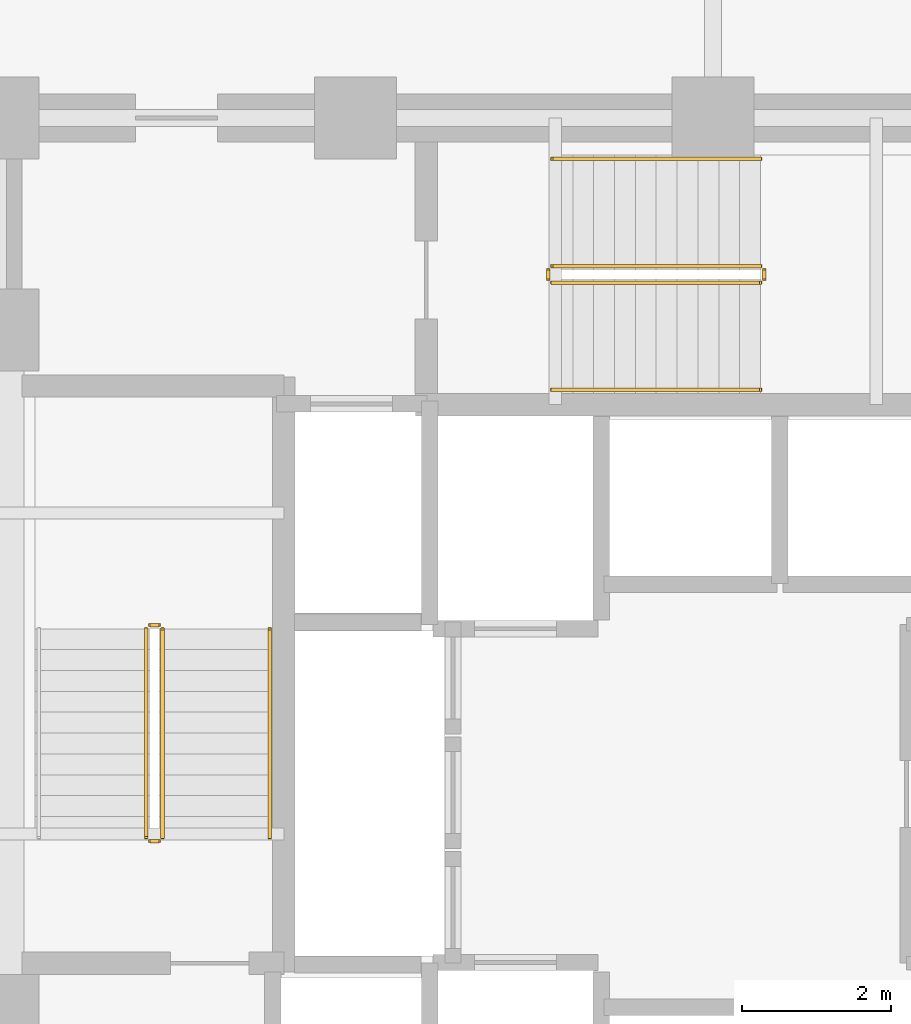
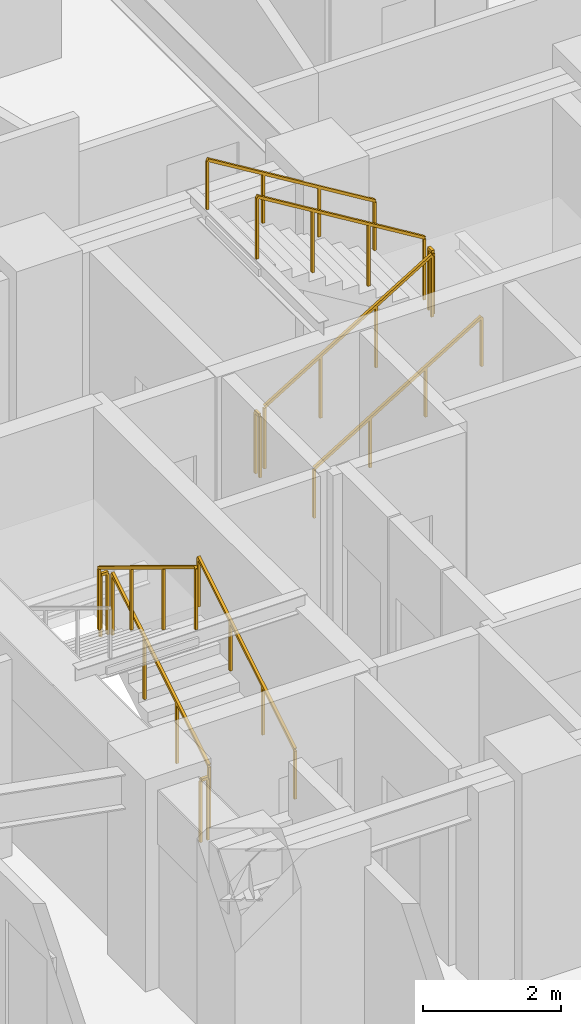
# One storey, part 10 of 13: 11 railings.
"""IFC4 building model written with IfcOpenShell, lengths in metres."""

from ifc_helpers import new_model, si_unit, direction, frame, origin, origin_2d, place, context, subcontext, project, spatial, rectangle, extrude, material, type_object, element, save


model = new_model("IFC4")

# Units and contexts
model_context = context("Model", 3, precision=1e-05, world=origin(), true_north=direction((0.0, 1.0)))
body_context = subcontext(model_context, "Body", "Model", "MODEL_VIEW")
ifc_project = project(units=[si_unit("LENGTHUNIT", "METRE"), si_unit("AREAUNIT", "SQUARE_METRE"), si_unit("VOLUMEUNIT", "CUBIC_METRE"), si_unit("PLANEANGLEUNIT", "RADIAN"), si_unit("MASSUNIT", "GRAM", prefix="KILO")], contexts=[model_context])

# Site, building, storey
site_placement = place(None, origin())
site = spatial("IfcSite", under=ifc_project, at=site_placement, CompositionType="ELEMENT")
building_placement = place(site_placement, origin())
building = spatial("IfcBuilding", under=site, at=building_placement, Name="Vantalir Tower", CompositionType="ELEMENT")
storey_placement = place(building_placement, frame((0.0, 0.0, 87.0)))
storey = spatial("IfcBuildingStorey", under=building, at=storey_placement, Name="L21", CompositionType="ELEMENT", Elevation=87.0)

# Railings
ifc_material_1 = material(Name="Anodised aluminium and stainless steel guard", Category="steel")
railing_type_1 = type_object("IfcRailingType", Name="RAL-GUARD-1120", PredefinedType="GUARDRAIL", material=ifc_material_1)
railing_1_placement = place(storey_placement, frame((24.110107421875, 22.7900390625, 0.17041015625)))
element("IfcRailing", 1, at=railing_1_placement, inside=storey, type_object=railing_type_1, Name="L21 ST1 stair guard 1", PredefinedType="GUARDRAIL", context=body_context, shape_type="SweptSolid", body=[
    extrude(rectangle(XDim=0.048095703125, YDim=0.048095703125, at=origin_2d()), frame((0.0, 0.0, 1.09619140625), z_axis=(0.0, 0.854169791009, 0.51999420009), x_axis=(-1.0, 0.0, 0.0)), (0.0, 0.0, 1.0), 3.278076171875),
    extrude(rectangle(XDim=0.0419921875, YDim=0.0419921875, at=origin_2d()), origin(), (0.0, 0.0, 1.0), 1.072021484375),
    extrude(rectangle(XDim=0.0419921875, YDim=0.0419921875, at=origin_2d()), frame((0.0, 0.933349609375, 0.568115234375)), (0.0, 0.0, 1.0), 1.072021484375),
    extrude(rectangle(XDim=0.0419921875, YDim=0.0419921875, at=origin_2d()), frame((0.0, 1.86669921875, 1.136474609375)), (0.0, 0.0, 1.0), 1.072021484375),
    extrude(rectangle(XDim=0.0419921875, YDim=0.0419921875, at=origin_2d()), frame((0.0, 2.800048828125, 1.70458984375)), (0.0, 0.0, 1.0), 1.072021484375),
])
railing_2_placement = place(storey_placement, frame((24.06005859375, 25.639892578125, 1.875)))
element("IfcRailing", 2, at=railing_2_placement, inside=storey, type_object=railing_type_1, Name="L21 ST1 stair guard 2", PredefinedType="GUARDRAIL", context=body_context, shape_type="SweptSolid", body=[
    extrude(rectangle(XDim=0.048095703125, YDim=0.048095703125, at=origin_2d()), frame((0.0, 0.0, 1.09619140625), z_axis=(-1.0, 0.0, 0.0), x_axis=(0.0, -1.0, 0.0)), (0.0, 0.0, 1.0), 0.1201171875),
    extrude(rectangle(XDim=0.0419921875, YDim=0.0419921875, at=origin_2d()), origin(), (0.0, 0.0, 1.0), 1.072021484375),
    extrude(rectangle(XDim=0.0419921875, YDim=0.0419921875, at=origin_2d()), frame((-0.1201171875, 0.0, 0.0)), (0.0, 0.0, 1.0), 1.072021484375),
])
railing_3_placement = place(storey_placement, frame((23.889892578125, 25.590087890625, 2.04541015625)))
element("IfcRailing", 3, at=railing_3_placement, inside=storey, type_object=railing_type_1, Name="L21 ST1 stair guard 3", PredefinedType="GUARDRAIL", context=body_context, shape_type="SweptSolid", body=[
    extrude(rectangle(XDim=0.048095703125, YDim=0.048095703125, at=origin_2d()), frame((0.0, 0.0, 1.09619140625), z_axis=(0.0, -0.854169791009, 0.51999420009), x_axis=(1.0, 0.0, 0.0)), (0.0, 0.0, 1.0), 3.278076171875),
    extrude(rectangle(XDim=0.0419921875, YDim=0.0419921875, at=origin_2d()), origin(), (0.0, 0.0, 1.0), 1.072021484375),
    extrude(rectangle(XDim=0.0419921875, YDim=0.0419921875, at=origin_2d()), frame((0.0, -0.933349609375, 0.568115234375)), (0.0, 0.0, 1.0), 1.072021484375),
    extrude(rectangle(XDim=0.0419921875, YDim=0.0419921875, at=origin_2d()), frame((0.0, -1.86669921875, 1.136474609375)), (0.0, 0.0, 1.0), 1.072021484375),
    extrude(rectangle(XDim=0.0419921875, YDim=0.0419921875, at=origin_2d()), frame((0.0, -2.800048828125, 1.70458984375)), (0.0, 0.0, 1.0), 1.072021484375),
])
railing_4_placement = place(storey_placement, frame((24.06005859375, 22.739990234375, 0.0)))
element("IfcRailing", 4, at=railing_4_placement, inside=storey, type_object=railing_type_1, Name="L21 ST1 stair guard 4", PredefinedType="GUARDRAIL", context=body_context, shape_type="SweptSolid", body=[
    extrude(rectangle(XDim=0.048095703125, YDim=0.048095703125, at=origin_2d()), frame((0.0, 0.0, 1.09619140625), z_axis=(-1.0, 0.0, 0.0), x_axis=(0.0, -1.0, 0.0)), (0.0, 0.0, 1.0), 0.1201171875),
    extrude(rectangle(XDim=0.0419921875, YDim=0.0419921875, at=origin_2d()), origin(), (0.0, 0.0, 1.0), 1.072021484375),
    extrude(rectangle(XDim=0.0419921875, YDim=0.0419921875, at=origin_2d()), frame((-0.1201171875, 0.0, 0.0)), (0.0, 0.0, 1.0), 1.072021484375),
])
railing_5_placement = place(storey_placement, frame((29.340087890625, 30.239990234375, 0.17041015625)))
element("IfcRailing", 5, at=railing_5_placement, inside=storey, type_object=railing_type_1, Name="L21 ST3 stair guard 1", PredefinedType="GUARDRAIL", context=body_context, shape_type="SweptSolid", body=[
    extrude(rectangle(XDim=0.048095703125, YDim=0.048095703125, at=origin_2d()), frame((0.0, 0.0, 1.09619140625), z_axis=(0.854149651119, 0.0, 0.520027281489), x_axis=(0.0, 1.0, 0.0)), (0.0, 0.0, 1.0), 3.27783203125),
    extrude(rectangle(XDim=0.0419921875, YDim=0.0419921875, at=origin_2d()), origin(), (0.0, 0.0, 1.0), 1.072021484375),
    extrude(rectangle(XDim=0.0419921875, YDim=0.0419921875, at=origin_2d()), frame((0.933349609375, 0.0, 0.568115234375)), (0.0, 0.0, 1.0), 1.072021484375),
    extrude(rectangle(XDim=0.0419921875, YDim=0.0419921875, at=origin_2d()), frame((1.866455078125, 0.0, 1.136474609375)), (0.0, 0.0, 1.0), 1.072021484375),
    extrude(rectangle(XDim=0.0419921875, YDim=0.0419921875, at=origin_2d()), frame((2.7998046875, 0.0, 1.70458984375)), (0.0, 0.0, 1.0), 1.072021484375),
])
railing_6_placement = place(storey_placement, frame((32.18994140625, 30.2900390625, 1.875)))
element("IfcRailing", 6, at=railing_6_placement, inside=storey, type_object=railing_type_1, Name="L21 ST3 stair guard 2", PredefinedType="GUARDRAIL", context=body_context, shape_type="SweptSolid", body=[
    extrude(rectangle(XDim=0.048095703125, YDim=0.048095703125, at=origin_2d()), frame((0.0, 0.0, 1.09619140625), z_axis=(0.0, 1.0, 0.0), x_axis=(-1.0, 0.0, 0.0)), (0.0, 0.0, 1.0), 0.119873046875),
    extrude(rectangle(XDim=0.0419921875, YDim=0.0419921875, at=origin_2d()), origin(), (0.0, 0.0, 1.0), 1.072021484375),
    extrude(rectangle(XDim=0.0419921875, YDim=0.0419921875, at=origin_2d()), frame((0.0, 0.119873046875, 0.0)), (0.0, 0.0, 1.0), 1.072021484375),
])
railing_7_placement = place(storey_placement, frame((32.139892578125, 30.4599609375, 2.04541015625)))
element("IfcRailing", 7, at=railing_7_placement, inside=storey, type_object=railing_type_1, Name="L21 ST3 stair guard 3", PredefinedType="GUARDRAIL", context=body_context, shape_type="SweptSolid", body=[
    extrude(rectangle(XDim=0.048095703125, YDim=0.048095703125, at=origin_2d()), frame((0.0, 0.0, 1.09619140625), z_axis=(-0.854149651119, 0.0, 0.520027281489), x_axis=(0.0, -1.0, 0.0)), (0.0, 0.0, 1.0), 3.27783203125),
    extrude(rectangle(XDim=0.0419921875, YDim=0.0419921875, at=origin_2d()), origin(), (0.0, 0.0, 1.0), 1.072021484375),
    extrude(rectangle(XDim=0.0419921875, YDim=0.0419921875, at=origin_2d()), frame((-0.933349609375, 0.0, 0.568115234375)), (0.0, 0.0, 1.0), 1.072021484375),
    extrude(rectangle(XDim=0.0419921875, YDim=0.0419921875, at=origin_2d()), frame((-1.866455078125, 0.0, 1.136474609375)), (0.0, 0.0, 1.0), 1.072021484375),
    extrude(rectangle(XDim=0.0419921875, YDim=0.0419921875, at=origin_2d()), frame((-2.7998046875, 0.0, 1.70458984375)), (0.0, 0.0, 1.0), 1.072021484375),
])
railing_8_placement = place(storey_placement, frame((29.2900390625, 30.2900390625, 0.0)))
element("IfcRailing", 8, at=railing_8_placement, inside=storey, type_object=railing_type_1, Name="L21 ST3 stair guard 4", PredefinedType="GUARDRAIL", context=body_context, shape_type="SweptSolid", body=[
    extrude(rectangle(XDim=0.048095703125, YDim=0.048095703125, at=origin_2d()), frame((0.0, 0.0, 1.09619140625), z_axis=(0.0, 1.0, 0.0), x_axis=(-1.0, 0.0, 0.0)), (0.0, 0.0, 1.0), 0.119873046875),
    extrude(rectangle(XDim=0.0419921875, YDim=0.0419921875, at=origin_2d()), origin(), (0.0, 0.0, 1.0), 1.072021484375),
    extrude(rectangle(XDim=0.0419921875, YDim=0.0419921875, at=origin_2d()), frame((0.0, 0.119873046875, 0.0)), (0.0, 0.0, 1.0), 1.072021484375),
])
ifc_material_2 = material(Name="Brushed stainless steel tubular handrail", Category="steel")
railing_type_2 = type_object("IfcRailingType", Name="RAL-HANDRAIL-900", PredefinedType="HANDRAIL", material=ifc_material_2)
railing_9_placement = place(storey_placement, frame((25.550048828125, 22.7900390625, 0.17041015625)))
element("IfcRailing", 9, at=railing_9_placement, inside=storey, type_object=railing_type_2, Name="L21 ST1 stair handrail 1", PredefinedType="HANDRAIL", context=body_context, shape_type="SweptSolid", body=[
    extrude(rectangle(XDim=0.048095703125, YDim=0.048095703125, at=origin_2d()), frame((0.0, 0.0, 0.8759765625), z_axis=(0.0, 0.854169791009, 0.51999420009), x_axis=(-1.0, 0.0, 0.0)), (0.0, 0.0, 1.0), 3.278076171875),
    extrude(rectangle(XDim=0.0419921875, YDim=0.0419921875, at=origin_2d()), origin(), (0.0, 0.0, 1.0), 0.851806640625),
    extrude(rectangle(XDim=0.0419921875, YDim=0.0419921875, at=origin_2d()), frame((0.0, 0.933349609375, 0.568115234375)), (0.0, 0.0, 1.0), 0.851806640625),
    extrude(rectangle(XDim=0.0419921875, YDim=0.0419921875, at=origin_2d()), frame((0.0, 1.86669921875, 1.136474609375)), (0.0, 0.0, 1.0), 0.851806640625),
    extrude(rectangle(XDim=0.0419921875, YDim=0.0419921875, at=origin_2d()), frame((0.0, 2.800048828125, 1.70458984375)), (0.0, 0.0, 1.0), 0.851806640625),
])
railing_10_placement = place(storey_placement, frame((29.340087890625, 28.800048828125, 0.17041015625)))
element("IfcRailing", 10, at=railing_10_placement, inside=storey, type_object=railing_type_2, Name="L21 ST3 stair handrail 1", PredefinedType="HANDRAIL", context=body_context, shape_type="SweptSolid", body=[
    extrude(rectangle(XDim=0.048095703125, YDim=0.048095703125, at=origin_2d()), frame((0.0, 0.0, 0.8759765625), z_axis=(0.854149651119, 0.0, 0.520027281489), x_axis=(0.0, 1.0, 0.0)), (0.0, 0.0, 1.0), 3.27783203125),
    extrude(rectangle(XDim=0.0419921875, YDim=0.0419921875, at=origin_2d()), origin(), (0.0, 0.0, 1.0), 0.851806640625),
    extrude(rectangle(XDim=0.0419921875, YDim=0.0419921875, at=origin_2d()), frame((0.933349609375, 0.0, 0.568115234375)), (0.0, 0.0, 1.0), 0.851806640625),
    extrude(rectangle(XDim=0.0419921875, YDim=0.0419921875, at=origin_2d()), frame((1.866455078125, 0.0, 1.136474609375)), (0.0, 0.0, 1.0), 0.851806640625),
    extrude(rectangle(XDim=0.0419921875, YDim=0.0419921875, at=origin_2d()), frame((2.7998046875, 0.0, 1.70458984375)), (0.0, 0.0, 1.0), 0.851806640625),
])
railing_11_placement = place(storey_placement, frame((32.139892578125, 31.89990234375, 2.04541015625)))
element("IfcRailing", 11, at=railing_11_placement, inside=storey, type_object=railing_type_2, Name="L21 ST3 stair handrail 2", PredefinedType="HANDRAIL", context=body_context, shape_type="SweptSolid", body=[
    extrude(rectangle(XDim=0.048095703125, YDim=0.048095703125, at=origin_2d()), frame((0.0, 0.0, 0.8759765625), z_axis=(-0.854149651119, 0.0, 0.520027281489), x_axis=(0.0, -1.0, 0.0)), (0.0, 0.0, 1.0), 3.27783203125),
    extrude(rectangle(XDim=0.0419921875, YDim=0.0419921875, at=origin_2d()), origin(), (0.0, 0.0, 1.0), 0.851806640625),
    extrude(rectangle(XDim=0.0419921875, YDim=0.0419921875, at=origin_2d()), frame((-0.933349609375, 0.0, 0.568115234375)), (0.0, 0.0, 1.0), 0.851806640625),
    extrude(rectangle(XDim=0.0419921875, YDim=0.0419921875, at=origin_2d()), frame((-1.866455078125, 0.0, 1.136474609375)), (0.0, 0.0, 1.0), 0.851806640625),
    extrude(rectangle(XDim=0.0419921875, YDim=0.0419921875, at=origin_2d()), frame((-2.7998046875, 0.0, 1.70458984375)), (0.0, 0.0, 1.0), 0.851806640625),
])

save(model, "model.ifc")
